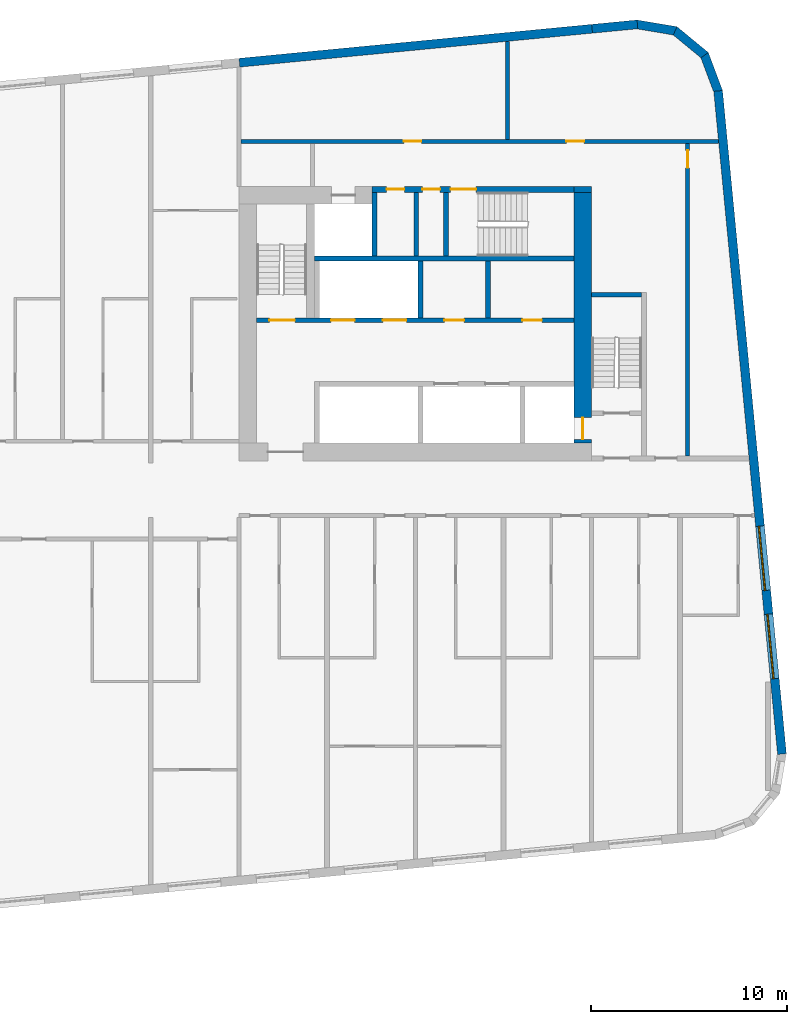
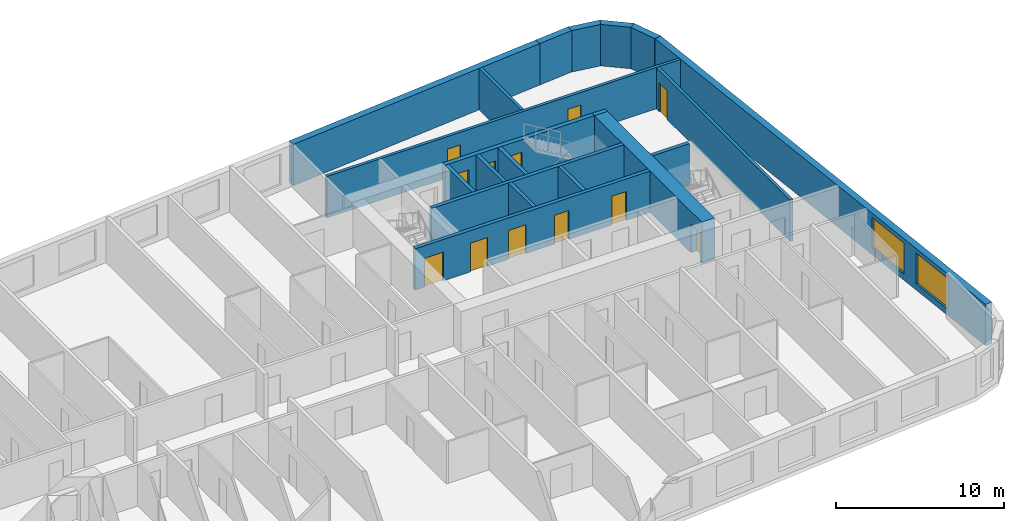
# One storey, part 8 of 12: 20 walls, 12 doors, 2 windows, 14 openings.
"""IFC4 building model written with IfcOpenShell, lengths in metres."""

from ifc_helpers import new_model, si_unit, direction, frame, frame_2d, origin, place, context, subcontext, project, spatial, polyline, rectangle, outline, extrude, material, layer, layer_set, type_object, element, fill, save


model = new_model("IFC4")

# Units and contexts
model_context = context("Model", 3, precision=1e-05, world=origin(), true_north=direction((0.0, 1.0)))
body_context = subcontext(model_context, "Body", "Model", "MODEL_VIEW")
ifc_project = project(units=[si_unit("LENGTHUNIT", "METRE"), si_unit("AREAUNIT", "SQUARE_METRE"), si_unit("VOLUMEUNIT", "CUBIC_METRE"), si_unit("PLANEANGLEUNIT", "RADIAN"), si_unit("MASSUNIT", "GRAM", prefix="KILO")], contexts=[model_context])

# Site, building, storey
site_placement = place(None, origin())
site = spatial("IfcSite", under=ifc_project, at=site_placement, CompositionType="ELEMENT")
building_placement = place(site_placement, origin())
building = spatial("IfcBuilding", under=site, at=building_placement, Name="Kajstack Hotel Tower", CompositionType="ELEMENT")
storey_placement = place(building_placement, frame((0.0, 0.0, 193.300048828125)))
storey = spatial("IfcBuildingStorey", under=building, at=storey_placement, Name="L46", CompositionType="ELEMENT", Elevation=193.300048828125)

# Wall
ifc_material_1 = material(Name="Concrete C60/75", Category="concrete")
ifc_layer_1 = layer(ifc_material_1, 0.89990234375)
ifc_layer_set_1 = layer_set([ifc_layer_1], Name="Core wall 900")
wall_type_1 = type_object("IfcWallType", Name="Core wall 900", PredefinedType="SHEAR", material=ifc_layer_set_1)
wall_1_placement = place(storey_placement, frame((30.60009765625, 15.35009765625, 0.0), z_axis=(0.0, 0.0, 1.0), x_axis=(1.0, 0.0, 0.0)))
element("IfcWall", 1, at=wall_1_placement, inside=storey, type_object=wall_type_1, Name="Core wall E RSW", PredefinedType="SHEAR", context=body_context, shape_type="SweptSolid", body=[
    extrude(rectangle(XDim=0.89990234375, YDim=0.300048828125, at=frame_2d((0.449951171875, 0.0))), origin(), (0.0, 0.0, 1.0), 3.02001953125),
])

# Wall, opening, door
wall_2_placement = place(storey_placement, frame((31.050048828125, 2.39990234375, 0.0), z_axis=(0.0, 0.0, 1.0), x_axis=(0.0, 1.0, 0.0)))
wall_2 = element("IfcWall", 2, at=wall_2_placement, inside=storey, type_object=wall_type_1, Name="Core wall E RW", PredefinedType="SHEAR", context=body_context, shape_type="SweptSolid", body=[
    extrude(rectangle(XDim=12.800048828125, YDim=0.89990234375, at=frame_2d((6.39990234375, 0.0))), origin(), (0.0, 0.0, 1.0), 3.02001953125),
])
opening_1_placement = place(wall_2_placement, frame((0.199951171875, 0.0, 0.0)))
opening_1 = element("IfcOpeningElement", 3, at=opening_1_placement, cuts=wall_2, Name="Opening LD-FF2", PredefinedType="OPENING", context=body_context, shape_type="SweptSolid", body=[
    extrude(rectangle(XDim=1.10009765625, YDim=2.10009765625, at=frame_2d((0.550048828125, 1.050048828125))), frame((0.0, 0.4599609375, 0.0), z_axis=(0.0, -1.0, 0.0), x_axis=(1.0, 0.0, 0.0)), (0.0, 0.0, 1.0), 0.919921875),
])
ifc_material_2 = material(Name="Stainless steel", Category="steel")
door_type_1 = type_object("IfcDoorType", Name="Fire-fighting lift landing door 1100", OperationType="SLIDING_TO_LEFT", PredefinedType="DOOR", material=ifc_material_2)
door_1_placement = place(opening_1_placement, origin())
door_1 = element("IfcDoor", 4, at=door_1_placement, inside=storey, type_object=door_type_1, Name="Landing door FF2", OperationType="SLIDING_TO_LEFT", OverallHeight=2.10009765625, OverallWidth=1.10009765625, PredefinedType="DOOR", context=body_context, shape_type="SweptSolid", body=[
    extrude(rectangle(XDim=1.10009765625, YDim=2.10009765625, at=frame_2d((0.550048828125, 1.050048828125))), frame((0.0, 0.02490234375, 0.0), z_axis=(0.0, -1.0, 0.0), x_axis=(1.0, 0.0, 0.0)), (0.0, 0.0, 1.0), 0.050048828125),
])
fill(opening_1, door_1)

# Wall
ifc_material_3 = material(Name="Concrete C40/50", Category="concrete")
ifc_layer_2 = layer(ifc_material_3, 0.449951171875)
ifc_layer_set_2 = layer_set([ifc_layer_2], Name="EW-CORE")
wall_type_2 = type_object("IfcWallType", Name="EW-CORE", PredefinedType="SOLIDWALL", material=ifc_layer_set_2)
wall_3_placement = place(storey_placement, frame((31.521484375, 23.55078125, 0.0), z_axis=(0.0, 0.0, 1.0), x_axis=(-0.995395166513, -0.095856468129, 0.0)))
element("IfcWall", 5, at=wall_3_placement, inside=storey, type_object=wall_type_2, Name="E-wall-L46-12-01", PredefinedType="SOLIDWALL", context=body_context, shape_type="SweptSolid", body=[
    extrude(rectangle(XDim=18.083251953125, YDim=0.449951171875, at=frame_2d((9.04150390625, 0.0))), origin(), (0.0, 0.0, 1.0), 3.02001953125),
])

# Wall, openings, windows
ifc_material_4 = material(Name="Terracotta-faced brick masonry", Category="masonry")
ifc_layer_3 = layer(ifc_material_4, 0.449951171875)
ifc_layer_set_3 = layer_set([ifc_layer_3], Name="EW-TERRA")
wall_type_3 = type_object("IfcWallType", Name="EW-TERRA", PredefinedType="SOLIDWALL", material=ifc_layer_set_3)
wall_4_placement = place(storey_placement, frame((41.21435546875, -13.465576171875, 0.0), z_axis=(0.0, 0.0, 1.0), x_axis=(-0.095847314626, 0.995396047952, 0.0)))
wall_4 = element("IfcWall", 6, at=wall_4_placement, inside=storey, type_object=wall_type_3, Name="E-wall-L46-08-00", PredefinedType="SOLIDWALL", context=body_context, shape_type="SweptSolid", body=[
    extrude(rectangle(XDim=33.999755859375, YDim=0.449951171875, at=frame_2d((17.0, 0.0))), origin(), (0.0, 0.0, 1.0), 3.02001953125),
])
opening_2_placement = place(wall_4_placement, frame((3.869384765625, 0.0, 0.449951171875)))
opening_2 = element("IfcOpeningElement", 7, at=opening_2_placement, cuts=wall_4, Name="Opening W2", PredefinedType="OPENING", context=body_context, shape_type="SweptSolid", body=[
    extrude(rectangle(XDim=3.300048828125, YDim=2.25, at=frame_2d((1.64990234375, 1.125))), frame((0.0, 0.23486328125, 0.0), z_axis=(0.0, -1.0, 0.0), x_axis=(1.0, 0.0, 0.0)), (0.0, 0.0, 1.0), 0.469970703125),
])
opening_3_placement = place(wall_4_placement, frame((8.390380859375, 0.0, 0.449951171875)))
opening_3 = element("IfcOpeningElement", 8, at=opening_3_placement, cuts=wall_4, Name="Opening W2", PredefinedType="OPENING", context=body_context, shape_type="SweptSolid", body=[
    extrude(rectangle(XDim=3.300048828125, YDim=2.25, at=frame_2d((1.64990234375, 1.125))), frame((0.0, 0.23486328125, 0.0), z_axis=(0.0, -1.0, 0.0), x_axis=(1.0, 0.0, 0.0)), (0.0, 0.0, 1.0), 0.469970703125),
])
ifc_material_5 = material(Name="Timber-aluminium window, triple glazed", Category="wood")
window_type = type_object("IfcWindowType", Name="WG2", PartitioningType="SINGLE_PANEL", PredefinedType="WINDOW", material=ifc_material_5)
window_1_placement = place(opening_2_placement, origin())
window_1 = element("IfcWindow", 9, at=window_1_placement, inside=storey, type_object=window_type, Name="Window W2 L46-08", OverallHeight=2.25, OverallWidth=3.300048828125, PartitioningType="SINGLE_PANEL", PredefinedType="WINDOW", context=body_context, shape_type="SweptSolid", body=[
    extrude(rectangle(XDim=3.300048828125, YDim=2.25, at=frame_2d((1.64990234375, 1.125))), frame((0.0, 0.090087890625, 0.0), z_axis=(0.0, -1.0, 0.0), x_axis=(1.0, 0.0, 0.0)), (0.0, 0.0, 1.0), 0.06005859375),
])
fill(opening_2, window_1)
window_2_placement = place(opening_3_placement, origin())
window_2 = element("IfcWindow", 10, at=window_2_placement, inside=storey, type_object=window_type, Name="Window W2 L46-08", OverallHeight=2.25, OverallWidth=3.300048828125, PartitioningType="SINGLE_PANEL", PredefinedType="WINDOW", context=body_context, shape_type="SweptSolid", body=[
    extrude(rectangle(XDim=3.300048828125, YDim=2.25, at=frame_2d((1.64990234375, 1.125))), frame((0.0, 0.090087890625, 0.0), z_axis=(0.0, -1.0, 0.0), x_axis=(1.0, 0.0, 0.0)), (0.0, 0.0, 1.0), 0.06005859375),
])
fill(opening_3, window_2)

# Walls
wall_5_placement = place(storey_placement, frame((37.96875, 20.320556640625, 0.0), z_axis=(0.0, 0.0, 1.0), x_axis=(-0.350192909346, 0.936677599948, 0.0)))
element("IfcWall", 11, at=wall_5_placement, inside=storey, type_object=wall_type_3, Name="E-wall-L46-09-00", PredefinedType="SOLIDWALL", context=body_context, shape_type="SweptSolid", body=[
    extrude(outline(polyline([(0.0, -0.22509765625), (2.070556640625, -0.22509765625), (1.949951171875, 0.22509765625), (0.12060546875, 0.224853515625), (0.0, -0.22509765625)])), origin(), (0.0, 0.0, 1.0), 3.02001953125),
])
wall_6_placement = place(storey_placement, frame((37.311279296875, 22.165283203125, 0.0), z_axis=(0.0, 0.0, 1.0), x_axis=(-0.771651049663, 0.636046112757, 0.0)))
element("IfcWall", 12, at=wall_6_placement, inside=storey, type_object=wall_type_3, Name="E-wall-L46-10-00", PredefinedType="SOLIDWALL", context=body_context, shape_type="SweptSolid", body=[
    extrude(outline(polyline([(0.0, -0.224853515625), (2.0703125, -0.22509765625), (1.94970703125, 0.224853515625), (0.12060546875, 0.22509765625), (0.0, -0.224853515625)])), origin(), (0.0, 0.0, 1.0), 3.02001953125),
])
wall_7_placement = place(storey_placement, frame((35.819580078125, 23.433837890625, 0.0), z_axis=(0.0, 0.0, 1.0), x_axis=(-0.986278951104, 0.165087342366, 0.0)))
element("IfcWall", 13, at=wall_7_placement, inside=storey, type_object=wall_type_3, Name="E-wall-L46-11-00", PredefinedType="SOLIDWALL", context=body_context, shape_type="SweptSolid", body=[
    extrude(outline(polyline([(0.0, -0.22509765625), (2.070556640625, -0.224853515625), (1.949951171875, 0.22509765625), (0.12060546875, 0.224853515625), (0.0, -0.22509765625)])), origin(), (0.0, 0.0, 1.0), 3.02001953125),
])
wall_8_placement = place(storey_placement, frame((33.836181640625, 23.7734375, 0.0), z_axis=(0.0, 0.0, 1.0), x_axis=(-0.995405373555, -0.095750416695, 0.0)))
element("IfcWall", 14, at=wall_8_placement, inside=storey, type_object=wall_type_3, Name="E-wall-L46-12-00", PredefinedType="SOLIDWALL", context=body_context, shape_type="SweptSolid", body=[
    extrude(rectangle(XDim=2.325439453125, YDim=0.449951171875, at=frame_2d((1.16259765625, 0.0))), origin(), (0.0, 0.0, 1.0), 3.02001953125),
])
ifc_material_6 = material(Name="Concrete C50/60", Category="concrete")
ifc_layer_4 = layer(ifc_material_6, 0.300048828125)
ifc_layer_set_4 = layer_set([ifc_layer_4], Name="Hoistway divider wall 300")
wall_type_4 = type_object("IfcWallType", Name="Hoistway divider wall 300", PredefinedType="SHEAR", material=ifc_layer_set_4)
wall_9_placement = place(storey_placement, frame((22.77490234375, 8.800048828125, 0.0), z_axis=(0.0, 0.0, 1.0), x_axis=(0.0, 1.0, 0.0)))
element("IfcWall", 15, at=wall_9_placement, inside=storey, type_object=wall_type_4, Name="Core wall E BP2", PredefinedType="SHEAR", context=body_context, shape_type="SweptSolid", body=[
    extrude(rectangle(XDim=2.89990234375, YDim=0.25, at=frame_2d((1.449951171875, 0.0))), origin(), (0.0, 0.0, 1.0), 3.02001953125),
])
ifc_material_7 = material(Name="Concrete block masonry", Category="masonry")
ifc_layer_5 = layer(ifc_material_7, 0.25)
ifc_layer_set_5 = layer_set([ifc_layer_5], Name="Riser partition 250")
wall_type_5 = type_object("IfcWallType", Name="Riser partition 250", PredefinedType="PARTITIONING", material=ifc_layer_set_5)
wall_10_placement = place(storey_placement, frame((26.199951171875, 8.800048828125, 0.0), z_axis=(0.0, 0.0, 1.0), x_axis=(0.0, 1.0, 0.0)))
element("IfcWall", 16, at=wall_10_placement, inside=storey, type_object=wall_type_5, Name="Partition E BF0", PredefinedType="PARTITIONING", context=body_context, shape_type="SweptSolid", body=[
    extrude(rectangle(XDim=2.89990234375, YDim=0.25, at=frame_2d((1.449951171875, 0.0))), origin(), (0.0, 0.0, 1.0), 3.02001953125),
])
wall_11_placement = place(storey_placement, frame((22.550048828125, 11.949951171875, 0.0), z_axis=(0.0, 0.0, 1.0), x_axis=(0.0, 1.0, 0.0)))
element("IfcWall", 17, at=wall_11_placement, inside=storey, type_object=wall_type_5, Name="Partition E SZ0", PredefinedType="PARTITIONING", context=body_context, shape_type="SweptSolid", body=[
    extrude(rectangle(XDim=3.25, YDim=0.25, at=frame_2d((1.625, 0.0))), origin(), (0.0, 0.0, 1.0), 3.02001953125),
])

# Wall, opening, door
ifc_material_8 = material(Name="Gypsum board on steel studs, mineral wool", Category="steel")
ifc_layer_6 = layer(ifc_material_8, 0.199951171875)
ifc_layer_set_6 = layer_set([ifc_layer_6], Name="Service partition 200")
wall_type_6 = type_object("IfcWallType", Name="Service partition 200", PredefinedType="PARTITIONING", material=ifc_layer_set_6)
wall_12_placement = place(storey_placement, frame((36.39990234375, 1.75, 0.0), z_axis=(0.0, 0.0, 1.0), x_axis=(0.0, 1.0, 0.0)))
wall_12 = element("IfcWall", 18, at=wall_12_placement, inside=storey, type_object=wall_type_6, Name="Partition E WRE", PredefinedType="PARTITIONING", context=body_context, shape_type="SweptSolid", body=[
    extrude(rectangle(XDim=15.949951171875, YDim=0.199951171875, at=frame_2d((7.97509765625, 0.0))), origin(), (0.0, 0.0, 1.0), 3.02001953125),
])
opening_4_placement = place(wall_12_placement, frame((14.699951171875, 0.0, 0.0)))
opening_4 = element("IfcOpeningElement", 19, at=opening_4_placement, cuts=wall_12, Name="Opening 46E19", PredefinedType="OPENING", context=body_context, shape_type="SweptSolid", body=[
    extrude(rectangle(XDim=0.89990234375, YDim=2.10009765625, at=frame_2d((0.449951171875, 1.050048828125))), frame((0.0, 0.10986328125, 0.0), z_axis=(0.0, -1.0, 0.0), x_axis=(1.0, 0.0, 0.0)), (0.0, 0.0, 1.0), 0.219970703125),
])
ifc_material_9 = material(Name="Timber leaf, fire-rated", Category="wood")
door_type_2 = type_object("IfcDoorType", Name="Service door 900", OperationType="SINGLE_SWING_LEFT", PredefinedType="DOOR", material=ifc_material_9)
door_2_placement = place(opening_4_placement, origin())
door_2 = element("IfcDoor", 20, at=door_2_placement, inside=storey, type_object=door_type_2, Name="Door 46E19", OperationType="SINGLE_SWING_RIGHT", OverallHeight=2.10009765625, OverallWidth=0.89990234375, PredefinedType="DOOR", context=body_context, shape_type="SweptSolid", body=[
    extrude(rectangle(XDim=0.89990234375, YDim=2.10009765625, at=frame_2d((0.449951171875, 1.050048828125))), frame((0.0, 0.02490234375, 0.0), z_axis=(0.0, -1.0, 0.0), x_axis=(1.0, 0.0, 0.0)), (0.0, 0.0, 1.0), 0.050048828125),
])
fill(opening_4, door_2)

# Wall, openings, doors
wall_13_placement = place(storey_placement, frame((13.60009765625, 17.800048828125, 0.0), z_axis=(0.0, 0.0, 1.0), x_axis=(1.0, 0.0, 0.0)))
wall_13 = element("IfcWall", 21, at=wall_13_placement, inside=storey, type_object=wall_type_6, Name="Partition E SLN", PredefinedType="PARTITIONING", context=body_context, shape_type="SweptSolid", body=[
    extrude(rectangle(XDim=24.377685546875, YDim=0.199951171875, at=frame_2d((12.18896484375, 0.0))), origin(), (0.0, 0.0, 1.0), 3.02001953125),
])
opening_5_placement = place(wall_13_placement, frame((16.612548828125, 0.0, 0.0)))
opening_5 = element("IfcOpeningElement", 22, at=opening_5_placement, cuts=wall_13, Name="Opening 46E17", PredefinedType="OPENING", context=body_context, shape_type="SweptSolid", body=[
    extrude(rectangle(XDim=0.89990234375, YDim=2.10009765625, at=frame_2d((0.449951171875, 1.050048828125))), frame((0.0, 0.10986328125, 0.0), z_axis=(0.0, -1.0, 0.0), x_axis=(1.0, 0.0, 0.0)), (0.0, 0.0, 1.0), 0.219970703125),
])
opening_6_placement = place(wall_13_placement, frame((8.3125, 0.0, 0.0)))
opening_6 = element("IfcOpeningElement", 23, at=opening_6_placement, cuts=wall_13, Name="Opening 46E18", PredefinedType="OPENING", context=body_context, shape_type="SweptSolid", body=[
    extrude(rectangle(XDim=0.89990234375, YDim=2.10009765625, at=frame_2d((0.449951171875, 1.050048828125))), frame((0.0, 0.10986328125, 0.0), z_axis=(0.0, -1.0, 0.0), x_axis=(1.0, 0.0, 0.0)), (0.0, 0.0, 1.0), 0.219970703125),
])
door_3_placement = place(opening_5_placement, origin())
door_3 = element("IfcDoor", 24, at=door_3_placement, inside=storey, type_object=door_type_2, Name="Door 46E17", OperationType="SINGLE_SWING_LEFT", OverallHeight=2.10009765625, OverallWidth=0.89990234375, PredefinedType="DOOR", context=body_context, shape_type="SweptSolid", body=[
    extrude(rectangle(XDim=0.89990234375, YDim=2.10009765625, at=frame_2d((0.449951171875, 1.050048828125))), frame((0.0, 0.02490234375, 0.0), z_axis=(0.0, -1.0, 0.0), x_axis=(1.0, 0.0, 0.0)), (0.0, 0.0, 1.0), 0.050048828125),
])
fill(opening_5, door_3)
door_4_placement = place(opening_6_placement, origin())
door_4 = element("IfcDoor", 25, at=door_4_placement, inside=storey, type_object=door_type_2, Name="Door 46E18", OperationType="SINGLE_SWING_LEFT", OverallHeight=2.10009765625, OverallWidth=0.89990234375, PredefinedType="DOOR", context=body_context, shape_type="SweptSolid", body=[
    extrude(rectangle(XDim=0.89990234375, YDim=2.10009765625, at=frame_2d((0.449951171875, 1.050048828125))), frame((0.0, 0.02490234375, 0.0), z_axis=(0.0, -1.0, 0.0), x_axis=(1.0, 0.0, 0.0)), (0.0, 0.0, 1.0), 0.050048828125),
])
fill(opening_6, door_4)

# Wall
wall_14_placement = place(storey_placement, frame((27.199951171875, 17.89990234375, 0.0), z_axis=(0.0, 0.0, 1.0), x_axis=(0.0, 1.0, 0.0)))
element("IfcWall", 26, at=wall_14_placement, inside=storey, type_object=wall_type_6, Name="Partition E SLP0", PredefinedType="PARTITIONING", context=body_context, shape_type="SweptSolid", body=[
    extrude(rectangle(XDim=5.009521484375, YDim=0.199951171875, at=frame_2d((2.5048828125, 0.0))), origin(), (0.0, 0.0, 1.0), 3.02001953125),
])

# Wall, openings, doors
ifc_layer_7 = layer(ifc_material_6, 0.25)
ifc_layer_set_7 = layer_set([ifc_layer_7], Name="Shaft wall 250")
wall_type_7 = type_object("IfcWallType", Name="Shaft wall 250", PredefinedType="SHEAR", material=ifc_layer_set_7)
wall_15_placement = place(storey_placement, frame((20.300048828125, 15.35009765625, 0.0), z_axis=(0.0, 0.0, 1.0), x_axis=(1.0, 0.0, 0.0)))
wall_15 = element("IfcWall", 27, at=wall_15_placement, inside=storey, type_object=wall_type_7, Name="Core wall E RSS", PredefinedType="SHEAR", context=body_context, shape_type="SweptSolid", body=[
    extrude(rectangle(XDim=10.300048828125, YDim=0.300048828125, at=frame_2d((5.14990234375, 0.0))), origin(), (0.0, 0.0, 1.0), 3.02001953125),
])
opening_7_placement = place(wall_15_placement, frame((4.0, 0.0, 0.0)))
opening_7 = element("IfcOpeningElement", 28, at=opening_7_placement, cuts=wall_15, Name="Opening 46E12", PredefinedType="OPENING", context=body_context, shape_type="SweptSolid", body=[
    extrude(rectangle(XDim=1.300048828125, YDim=2.10009765625, at=frame_2d((0.64990234375, 1.050048828125))), frame((0.0, 0.159912109375, 0.0), z_axis=(0.0, -1.0, 0.0), x_axis=(1.0, 0.0, 0.0)), (0.0, 0.0, 1.0), 0.320068359375),
])
opening_8_placement = place(wall_15_placement, frame((2.5625, 0.0, 0.0)))
opening_8 = element("IfcOpeningElement", 29, at=opening_8_placement, cuts=wall_15, Name="Opening 46E13", PredefinedType="OPENING", context=body_context, shape_type="SweptSolid", body=[
    extrude(rectangle(XDim=0.89990234375, YDim=2.10009765625, at=frame_2d((0.449951171875, 1.050048828125))), frame((0.0, 0.159912109375, 0.0), z_axis=(0.0, -1.0, 0.0), x_axis=(1.0, 0.0, 0.0)), (0.0, 0.0, 1.0), 0.320068359375),
])
opening_9_placement = place(wall_15_placement, frame((0.737548828125, 0.0, 0.0)))
opening_9 = element("IfcOpeningElement", 30, at=opening_9_placement, cuts=wall_15, Name="Opening 46E14", PredefinedType="OPENING", context=body_context, shape_type="SweptSolid", body=[
    extrude(rectangle(XDim=0.89990234375, YDim=2.10009765625, at=frame_2d((0.449951171875, 1.050048828125))), frame((0.0, 0.159912109375, 0.0), z_axis=(0.0, -1.0, 0.0), x_axis=(1.0, 0.0, 0.0)), (0.0, 0.0, 1.0), 0.320068359375),
])
ifc_material_10 = material(Name="Steel leaf, fire-rated", Category="steel")
door_type_3 = type_object("IfcDoorType", Name="Riser door 900", OperationType="SINGLE_SWING_LEFT", PredefinedType="DOOR", material=ifc_material_10)
door_5_placement = place(opening_9_placement, origin())
door_5 = element("IfcDoor", 31, at=door_5_placement, inside=storey, type_object=door_type_3, Name="Door 46E14", OperationType="SINGLE_SWING_RIGHT", OverallHeight=2.10009765625, OverallWidth=0.89990234375, PredefinedType="DOOR", context=body_context, shape_type="SweptSolid", body=[
    extrude(rectangle(XDim=0.89990234375, YDim=2.10009765625, at=frame_2d((0.449951171875, 1.050048828125))), frame((0.0, 0.02490234375, 0.0), z_axis=(0.0, -1.0, 0.0), x_axis=(1.0, 0.0, 0.0)), (0.0, 0.0, 1.0), 0.050048828125),
])
fill(opening_9, door_5)
door_6_placement = place(opening_8_placement, origin())
door_6 = element("IfcDoor", 32, at=door_6_placement, inside=storey, type_object=door_type_2, Name="Door 46E13", OperationType="SINGLE_SWING_RIGHT", OverallHeight=2.10009765625, OverallWidth=0.89990234375, PredefinedType="DOOR", context=body_context, shape_type="SweptSolid", body=[
    extrude(rectangle(XDim=0.89990234375, YDim=2.10009765625, at=frame_2d((0.449951171875, 1.050048828125))), frame((0.0, 0.02490234375, 0.0), z_axis=(0.0, -1.0, 0.0), x_axis=(1.0, 0.0, 0.0)), (0.0, 0.0, 1.0), 0.050048828125),
])
fill(opening_8, door_6)
door_type_4 = type_object("IfcDoorType", Name="Stair door 1300", OperationType="SINGLE_SWING_LEFT", PredefinedType="DOOR", material=ifc_material_10)
door_7_placement = place(opening_7_placement, origin())
door_7 = element("IfcDoor", 33, at=door_7_placement, inside=storey, type_object=door_type_4, Name="Door 46E12", OperationType="SINGLE_SWING_LEFT", OverallHeight=2.10009765625, OverallWidth=1.300048828125, PredefinedType="DOOR", context=body_context, shape_type="SweptSolid", body=[
    extrude(rectangle(XDim=1.300048828125, YDim=2.10009765625, at=frame_2d((0.64990234375, 1.050048828125))), frame((0.0, 0.02490234375, 0.0), z_axis=(0.0, -1.0, 0.0), x_axis=(1.0, 0.0, 0.0)), (0.0, 0.0, 1.0), 0.050048828125),
])
fill(opening_7, door_7)

wall_16_placement = place(storey_placement, frame((14.39990234375, 8.675048828125, 0.0), z_axis=(0.0, 0.0, 1.0), x_axis=(1.0, 0.0, 0.0)))
wall_16 = element("IfcWall", 34, at=wall_16_placement, inside=storey, type_object=wall_type_7, Name="Core wall E FB", PredefinedType="SHEAR", context=body_context, shape_type="SweptSolid", body=[
    extrude(rectangle(XDim=16.2001953125, YDim=0.25, at=frame_2d((8.10009765625, 0.0))), origin(), (0.0, 0.0, 1.0), 3.02001953125),
])
opening_10_placement = place(wall_16_placement, frame((6.449951171875, 0.0, 0.0)))
opening_10 = element("IfcOpeningElement", 35, at=opening_10_placement, cuts=wall_16, Name="Opening LD-MR5", PredefinedType="OPENING", context=body_context, shape_type="SweptSolid", body=[
    extrude(rectangle(XDim=1.199951171875, YDim=2.10009765625, at=frame_2d((0.60009765625, 1.050048828125))), frame((0.0, 0.135009765625, 0.0), z_axis=(0.0, -1.0, 0.0), x_axis=(1.0, 0.0, 0.0)), (0.0, 0.0, 1.0), 0.27001953125),
])
opening_11_placement = place(wall_16_placement, frame((3.800048828125, 0.0, 0.0)))
opening_11 = element("IfcOpeningElement", 36, at=opening_11_placement, cuts=wall_16, Name="Opening LD-MR6", PredefinedType="OPENING", context=body_context, shape_type="SweptSolid", body=[
    extrude(rectangle(XDim=1.199951171875, YDim=2.10009765625, at=frame_2d((0.60009765625, 1.050048828125))), frame((0.0, 0.135009765625, 0.0), z_axis=(0.0, -1.0, 0.0), x_axis=(1.0, 0.0, 0.0)), (0.0, 0.0, 1.0), 0.27001953125),
])
opening_12_placement = place(wall_16_placement, frame((0.64990234375, 0.0, 0.0)))
opening_12 = element("IfcOpeningElement", 37, at=opening_12_placement, cuts=wall_16, Name="Opening 46E11", PredefinedType="OPENING", context=body_context, shape_type="SweptSolid", body=[
    extrude(rectangle(XDim=1.300048828125, YDim=2.10009765625, at=frame_2d((0.64990234375, 1.050048828125))), frame((0.0, 0.135009765625, 0.0), z_axis=(0.0, -1.0, 0.0), x_axis=(1.0, 0.0, 0.0)), (0.0, 0.0, 1.0), 0.27001953125),
])
opening_13_placement = place(wall_16_placement, frame((13.5625, 0.0, 0.0)))
opening_13 = element("IfcOpeningElement", 38, at=opening_13_placement, cuts=wall_16, Name="Opening 46E15", PredefinedType="OPENING", context=body_context, shape_type="SweptSolid", body=[
    extrude(rectangle(XDim=1.0, YDim=2.10009765625, at=frame_2d((0.5, 1.050048828125))), frame((0.0, 0.135009765625, 0.0), z_axis=(0.0, -1.0, 0.0), x_axis=(1.0, 0.0, 0.0)), (0.0, 0.0, 1.0), 0.27001953125),
])
opening_14_placement = place(wall_16_placement, frame((9.58740234375, 0.0, 0.0)))
opening_14 = element("IfcOpeningElement", 39, at=opening_14_placement, cuts=wall_16, Name="Opening 46E16", PredefinedType="OPENING", context=body_context, shape_type="SweptSolid", body=[
    extrude(rectangle(XDim=1.0, YDim=2.10009765625, at=frame_2d((0.5, 1.050048828125))), frame((0.0, 0.135009765625, 0.0), z_axis=(0.0, -1.0, 0.0), x_axis=(1.0, 0.0, 0.0)), (0.0, 0.0, 1.0), 0.27001953125),
])
door_type_5 = type_object("IfcDoorType", Name="Lift landing door 1200", OperationType="SLIDING_TO_LEFT", PredefinedType="DOOR", material=ifc_material_2)
door_8_placement = place(opening_10_placement, origin())
door_8 = element("IfcDoor", 40, at=door_8_placement, inside=storey, type_object=door_type_5, Name="Landing door MR5", OperationType="SLIDING_TO_LEFT", OverallHeight=2.10009765625, OverallWidth=1.199951171875, PredefinedType="DOOR", context=body_context, shape_type="SweptSolid", body=[
    extrude(rectangle(XDim=1.199951171875, YDim=2.10009765625, at=frame_2d((0.60009765625, 1.050048828125))), frame((0.0, 0.02490234375, 0.0), z_axis=(0.0, -1.0, 0.0), x_axis=(1.0, 0.0, 0.0)), (0.0, 0.0, 1.0), 0.050048828125),
])
fill(opening_10, door_8)
door_9_placement = place(opening_11_placement, origin())
door_9 = element("IfcDoor", 41, at=door_9_placement, inside=storey, type_object=door_type_5, Name="Landing door MR6", OperationType="SLIDING_TO_RIGHT", OverallHeight=2.10009765625, OverallWidth=1.199951171875, PredefinedType="DOOR", context=body_context, shape_type="SweptSolid", body=[
    extrude(rectangle(XDim=1.199951171875, YDim=2.10009765625, at=frame_2d((0.60009765625, 1.050048828125))), frame((0.0, 0.02490234375, 0.0), z_axis=(0.0, -1.0, 0.0), x_axis=(1.0, 0.0, 0.0)), (0.0, 0.0, 1.0), 0.050048828125),
])
fill(opening_11, door_9)
door_type_6 = type_object("IfcDoorType", Name="Service room door 1000", OperationType="SINGLE_SWING_LEFT", PredefinedType="DOOR", material=ifc_material_9)
door_10_placement = place(opening_13_placement, origin())
door_10 = element("IfcDoor", 42, at=door_10_placement, inside=storey, type_object=door_type_6, Name="Door 46E15", OperationType="SINGLE_SWING_LEFT", OverallHeight=2.10009765625, OverallWidth=1.0, PredefinedType="DOOR", context=body_context, shape_type="SweptSolid", body=[
    extrude(rectangle(XDim=1.0, YDim=2.10009765625, at=frame_2d((0.5, 1.050048828125))), frame((0.0, 0.02490234375, 0.0), z_axis=(0.0, -1.0, 0.0), x_axis=(1.0, 0.0, 0.0)), (0.0, 0.0, 1.0), 0.050048828125),
])
fill(opening_13, door_10)
door_11_placement = place(opening_14_placement, origin())
door_11 = element("IfcDoor", 43, at=door_11_placement, inside=storey, type_object=door_type_6, Name="Door 46E16", OperationType="SINGLE_SWING_LEFT", OverallHeight=2.10009765625, OverallWidth=1.0, PredefinedType="DOOR", context=body_context, shape_type="SweptSolid", body=[
    extrude(rectangle(XDim=1.0, YDim=2.10009765625, at=frame_2d((0.5, 1.050048828125))), frame((0.0, 0.02490234375, 0.0), z_axis=(0.0, -1.0, 0.0), x_axis=(1.0, 0.0, 0.0)), (0.0, 0.0, 1.0), 0.050048828125),
])
fill(opening_14, door_11)
door_12_placement = place(opening_12_placement, origin())
door_12 = element("IfcDoor", 44, at=door_12_placement, inside=storey, type_object=door_type_4, Name="Door 46E11", OperationType="SINGLE_SWING_LEFT", OverallHeight=2.10009765625, OverallWidth=1.300048828125, PredefinedType="DOOR", context=body_context, shape_type="SweptSolid", body=[
    extrude(rectangle(XDim=1.300048828125, YDim=2.10009765625, at=frame_2d((0.64990234375, 1.050048828125))), frame((0.0, 0.02490234375, 0.0), z_axis=(0.0, -1.0, 0.0), x_axis=(1.0, 0.0, 0.0)), (0.0, 0.0, 1.0), 0.050048828125),
])
fill(opening_12, door_12)

# Walls
wall_17_placement = place(storey_placement, frame((17.35009765625, 11.824951171875, 0.0), z_axis=(0.0, 0.0, 1.0), x_axis=(1.0, 0.0, 0.0)))
element("IfcWall", 45, at=wall_17_placement, inside=storey, type_object=wall_type_7, Name="Core wall E RB", PredefinedType="SHEAR", context=body_context, shape_type="SweptSolid", body=[
    extrude(rectangle(XDim=13.25, YDim=0.25, at=frame_2d((6.625, 0.0))), origin(), (0.0, 0.0, 1.0), 3.02001953125),
])
wall_18_placement = place(storey_placement, frame((20.425048828125, 11.949951171875, 0.0), z_axis=(0.0, 0.0, 1.0), x_axis=(0.0, 1.0, 0.0)))
element("IfcWall", 46, at=wall_18_placement, inside=storey, type_object=wall_type_7, Name="Core wall E SVW", PredefinedType="SHEAR", context=body_context, shape_type="SweptSolid", body=[
    extrude(rectangle(XDim=3.25, YDim=0.25, at=frame_2d((1.625, 0.0))), origin(), (0.0, 0.0, 1.0), 3.02001953125),
])
ifc_layer_8 = layer(ifc_material_3, 0.25)
ifc_layer_set_8 = layer_set([ifc_layer_8], Name="Stair enclosure wall 250")
wall_type_8 = type_object("IfcWallType", Name="Stair enclosure wall 250", PredefinedType="SHEAR", material=ifc_layer_set_8)
wall_19_placement = place(storey_placement, frame((31.5, 9.97509765625, 0.0), z_axis=(0.0, 0.0, 1.0), x_axis=(1.0, 0.0, 0.0)))
element("IfcWall", 47, at=wall_19_placement, inside=storey, type_object=wall_type_8, Name="Core wall E W1S", PredefinedType="SHEAR", context=body_context, shape_type="SweptSolid", body=[
    extrude(rectangle(XDim=2.550048828125, YDim=0.25, at=frame_2d((1.27490234375, 0.0))), origin(), (0.0, 0.0, 1.0), 3.02001953125),
])
ifc_layer_9 = layer(ifc_material_6, 0.35009765625)
ifc_layer_set_9 = layer_set([ifc_layer_9], Name="Stair enclosure wall 350")
wall_type_9 = type_object("IfcWallType", Name="Stair enclosure wall 350", PredefinedType="SHEAR", material=ifc_layer_set_9)
wall_20_placement = place(storey_placement, frame((24.074951171875, 11.949951171875, 0.0), z_axis=(0.0, 0.0, 1.0), x_axis=(0.0, 1.0, 0.0)))
element("IfcWall", 48, at=wall_20_placement, inside=storey, type_object=wall_type_9, Name="Core wall E W3E", PredefinedType="SHEAR", context=body_context, shape_type="SweptSolid", body=[
    extrude(rectangle(XDim=3.25, YDim=0.25, at=frame_2d((1.625, 0.0))), origin(), (0.0, 0.0, 1.0), 3.02001953125),
])

save(model, "model.ifc")
